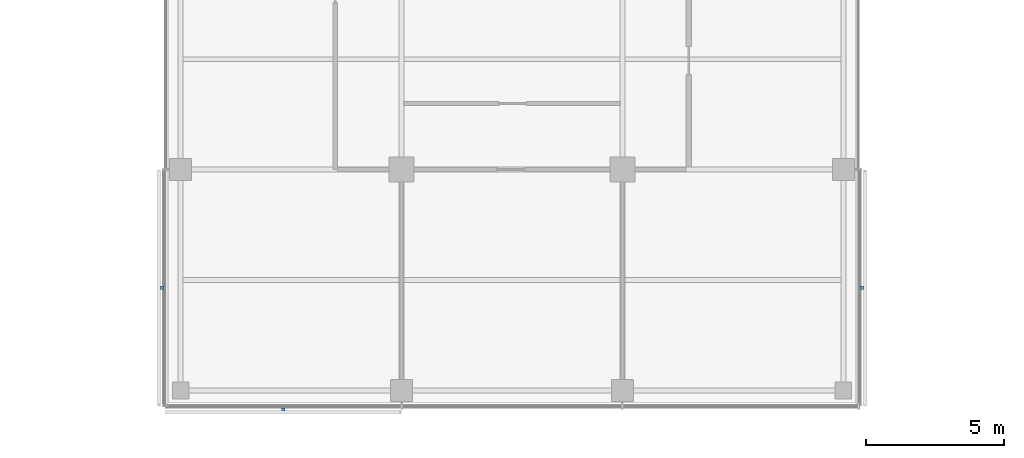
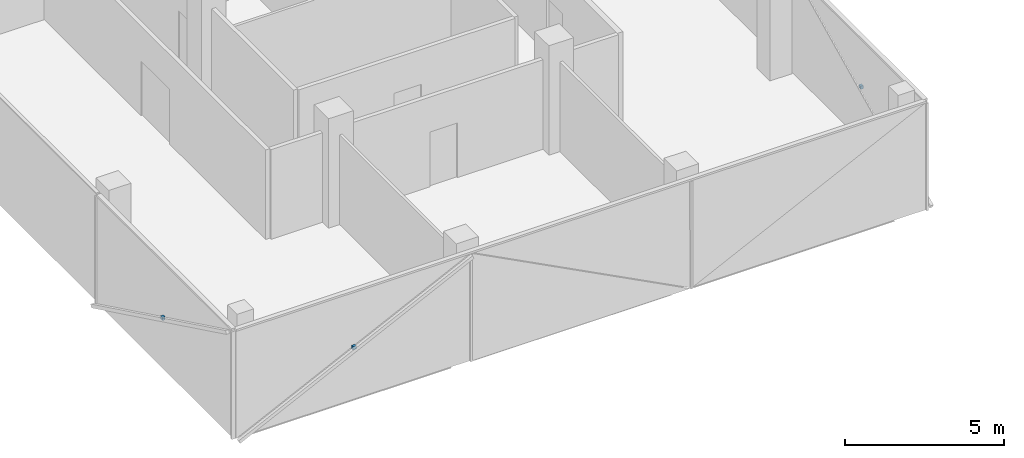
# One storey, part 13 of 15: 3 discrete accessories.
"""IFC4 building model written with IfcOpenShell, lengths in metres."""

from ifc_helpers import new_model, si_unit, direction, frame, origin, origin_2d, place, context, subcontext, project, spatial, rectangle, extrude, material, type_object, element, save


model = new_model("IFC4")

# Units and contexts
model_context = context("Model", 3, precision=1e-05, world=origin(), true_north=direction((0.0, 1.0)))
body_context = subcontext(model_context, "Body", "Model", "MODEL_VIEW")
ifc_project = project(units=[si_unit("LENGTHUNIT", "METRE"), si_unit("AREAUNIT", "SQUARE_METRE"), si_unit("VOLUMEUNIT", "CUBIC_METRE"), si_unit("PLANEANGLEUNIT", "RADIAN"), si_unit("MASSUNIT", "GRAM", prefix="KILO")], contexts=[model_context])

# Site, building, storey
site_placement = place(None, origin())
site = spatial("IfcSite", under=ifc_project, at=site_placement, CompositionType="ELEMENT")
building_placement = place(site_placement, origin())
building = spatial("IfcBuilding", under=site, at=building_placement, Name="Crosswind Convention Tower", CompositionType="ELEMENT")
storey_placement = place(building_placement, frame((0.0, 0.0, 191.5)))
storey = spatial("IfcBuildingStorey", under=building, at=storey_placement, Name="L40", CompositionType="ELEMENT", Elevation=191.5)

# Discrete accessories
ifc_material = material(Name="Stainless steel", Category="steel")
discrete_accessory_type = type_object("IfcDiscreteAccessoryType", Name="BAGUETTE BRACKET BK3", PredefinedType="BRACKET", material=ifc_material)
for number, where, z_axis, x_axis, name in (
    (1, (112.323974609375, 75.719970703125, 1.704833984375), (0.0, 0.0, 1.0), (0.0, -1.0, 0.0), "BK3 baguette bracket"),
    (2, (116.719970703125, 71.323974609375, 1.704833984375), (0.0, 0.0, 1.0), (1.0, 0.0, 0.0), "BK3 baguette bracket"),
    (3, (137.676025390625, 75.719970703125, 1.704833984375), (0.0, 0.0, 1.0), (0.0, 1.0, 0.0), "BK3 baguette bracket"),
):
    element("IfcDiscreteAccessory", number, at=place(storey_placement, frame(where, z_axis=z_axis, x_axis=x_axis)), inside=storey, type_object=discrete_accessory_type, Name=name, PredefinedType="BRACKET", context=body_context, shape_type="SweptSolid", body=[
        extrude(rectangle(XDim=0.1201171875, YDim=0.10009765625, at=origin_2d()), origin(), (0.0, 0.0, 1.0), 0.1201171875),
    ])

save(model, "model.ifc")
